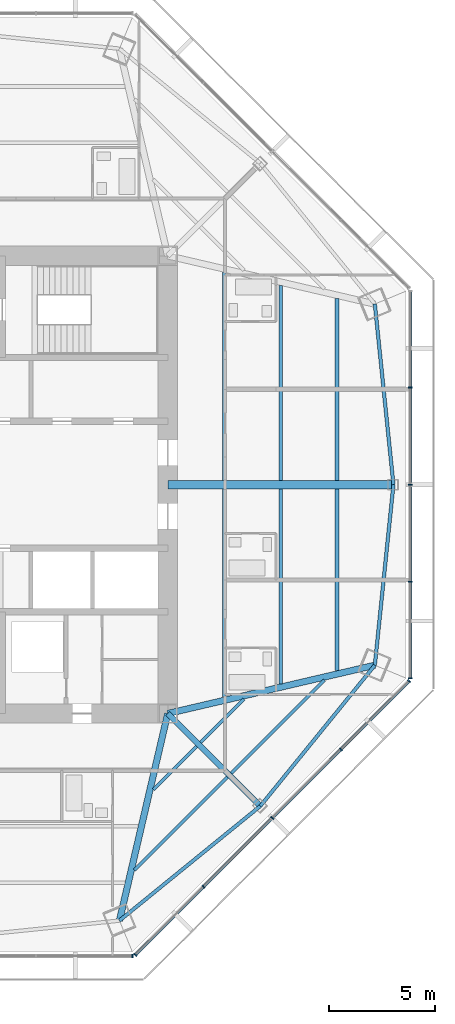
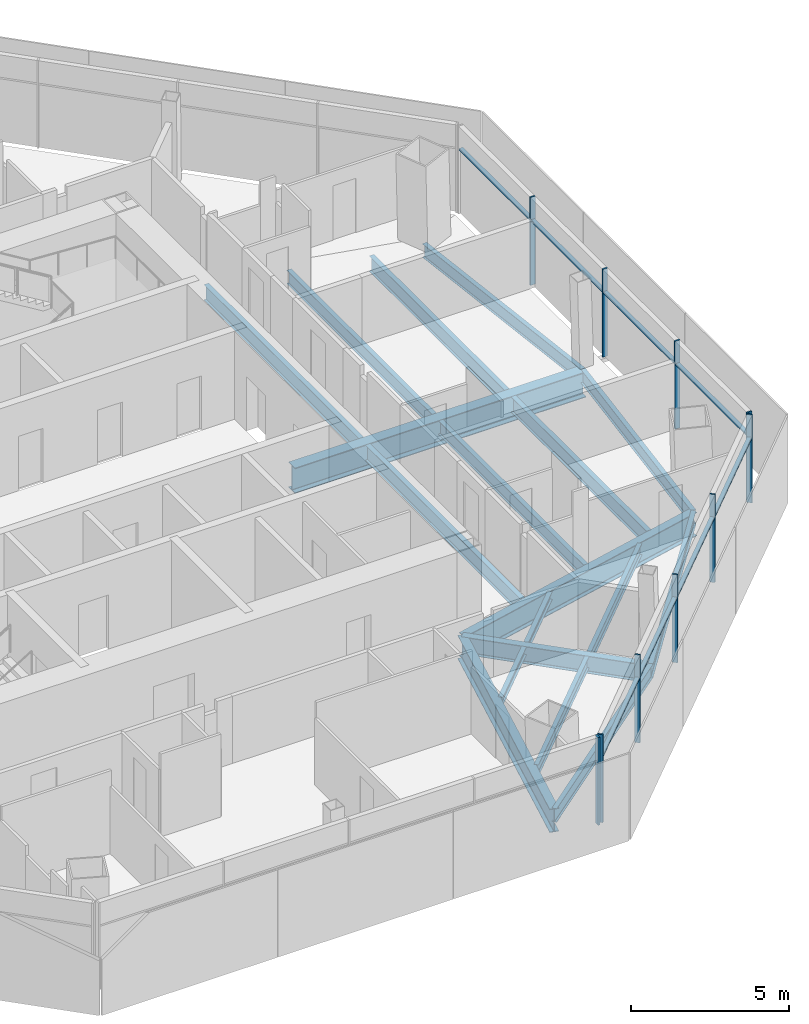
# One storey, part 4 of 15: 18 beams, 18 members, 3 elements without a shape of their own.
"""IFC4 building model written with IfcOpenShell, lengths in metres."""

import ifcopenshell
import ifcopenshell.guid

model = None  # the IFC model being written
_history = None  # IfcOwnerHistory: only IFC2X3 demands one
_inside = {}  # id of a spatial element -> (the spatial element, [elements in it])
_under = {}  # id of a project, library or spatial element -> (it, [spatial elements below it])
_declared = {}  # id of a project -> (the project, [libraries it declares])
_typed = {}  # id of a type object -> (the type object, [elements of that type])
_made_of = {}  # id of a material, layer set ... -> (it, [elements and type objects made of it])


def new_model(schema):
    """Start an empty IFC model of exactly this schema.

    Asked for "IFC4X3", IfcOpenShell would pick the latest addendum, in which some entities
    have other attributes; the version numbers below select the first issue.
    IFC2X3 requires an IfcOwnerHistory on every rooted entity: one is made here for all.
    """
    global model, _history
    if schema == "IFC4X3":
        model = ifcopenshell.file(schema_version=(4, 3, 0, 0))
    else:
        model = ifcopenshell.file(schema=schema)
    _inside.clear()
    _under.clear()
    _declared.clear()
    _typed.clear()
    _made_of.clear()
    _history = None
    if model.schema == "IFC2X3":
        org = make("IfcOrganization", Name="unknown")
        user = make(
            "IfcPersonAndOrganization",
            ThePerson=make("IfcPerson", FamilyName="unknown"),
            TheOrganization=org,
        )
        app = make(
            "IfcApplication",
            ApplicationDeveloper=org,
            Version="unknown",
            ApplicationFullName="unknown",
            ApplicationIdentifier="unknown",
        )
        _history = make(
            "IfcOwnerHistory",
            OwningUser=user,
            OwningApplication=app,
            ChangeAction="ADDED",
            CreationDate=0,
        )
    return model


def make(cls, **values):
    """One entity of the class cls with the attributes given. An attribute that is None is left unset."""
    return model.create_entity(
        cls, **{name: value for name, value in values.items() if value is not None}
    )


def rooted(cls, **values):
    """An entity with a GlobalId (a new one), such as an element, a storey or a relation."""
    return make(cls, GlobalId=ifcopenshell.guid.new(), OwnerHistory=_history, **values)


def si_unit(unit_type, name, prefix=None):
    """IfcSIUnit, for example si_unit("LENGTHUNIT", "METRE", prefix="MILLI")."""
    return make("IfcSIUnit", UnitType=unit_type, Prefix=prefix, Name=name)


def assignment(units):
    """IfcUnitAssignment: the units of a project."""
    return None if units is None else make("IfcUnitAssignment", Units=units)


def point(xyz):
    """IfcCartesianPoint."""
    return None if xyz is None else make("IfcCartesianPoint", Coordinates=xyz)


def direction(xyz):
    """IfcDirection."""
    return None if xyz is None else make("IfcDirection", DirectionRatios=xyz)


def frame(location, z_axis=None, x_axis=None):
    """IfcAxis2Placement3D, a coordinate frame: its origin and axes. An axis left out is left unset."""
    return make(
        "IfcAxis2Placement3D",
        Location=point(location),
        Axis=direction(z_axis),
        RefDirection=direction(x_axis),
    )


def frame_2d(location, x_axis=None):
    """IfcAxis2Placement2D, a coordinate frame in the plane: its origin and x axis."""
    return make(
        "IfcAxis2Placement2D", Location=point(location), RefDirection=direction(x_axis)
    )


def origin():
    """The frame at (0, 0, 0) with its axes left unset."""
    return frame((0.0, 0.0, 0.0))


def origin_2d():
    """The frame at (0, 0) in the plane with its x axis left unset."""
    return frame_2d((0.0, 0.0))


def place(relative_to, where):
    """IfcLocalPlacement: puts the frame where relative to a parent placement (None: the world)."""
    return make(
        "IfcLocalPlacement", PlacementRelTo=relative_to, RelativePlacement=where
    )


def context(
    kind, dimensions, precision=None, world=None, true_north=None, identifier=None
):
    """IfcGeometricRepresentationContext, for example the 3D "Model" context."""
    return make(
        "IfcGeometricRepresentationContext",
        ContextIdentifier=identifier,
        ContextType=kind,
        CoordinateSpaceDimension=dimensions,
        Precision=precision,
        WorldCoordinateSystem=world,
        TrueNorth=true_north,
    )


def subcontext(parent, identifier, kind, view, scale=None):
    """IfcGeometricRepresentationSubContext, for example "Body" below "Model"."""
    return make(
        "IfcGeometricRepresentationSubContext",
        ContextIdentifier=identifier,
        ContextType=kind,
        ParentContext=parent,
        TargetScale=scale,
        TargetView=view,
    )


def project(units=None, contexts=None):
    """IfcProject with its units and contexts."""
    return rooted(
        "IfcProject",
        Name="project",
        RepresentationContexts=contexts,
        UnitsInContext=assignment(units),
    )


def spatial(cls, under=None, at=None, **own):
    """A site, building, storey or space (cls), placed at a placement, below another one or the project."""
    s = rooted(cls, ObjectPlacement=at, **own)
    if under is not None:
        _under.setdefault(under.id(), (under, []))[1].append(s)
    return s


def profile(cls, at=None, kind="AREA", **sizes):
    """A parametric profile (cls). Its sizes go by their IFC names, for example OverallWidth=200.0."""
    return make(cls, ProfileType=kind, Position=at, **sizes)


def rectangle(**sizes):
    """IfcRectangleProfileDef."""
    return profile("IfcRectangleProfileDef", **sizes)


def i_section(**sizes):
    """IfcIShapeProfileDef."""
    return profile("IfcIShapeProfileDef", **sizes)


def extrude(swept, where, along, depth):
    """IfcExtrudedAreaSolid: the profile swept, set in the frame where, extruded along a direction by depth."""
    return make(
        "IfcExtrudedAreaSolid",
        SweptArea=swept,
        Position=where,
        ExtrudedDirection=direction(along),
        Depth=depth,
    )


def shape(context_of_items, identifier, shape_type, items):
    """IfcShapeRepresentation: the items that make up one representation, for example the "Body"."""
    return make(
        "IfcShapeRepresentation",
        ContextOfItems=context_of_items,
        RepresentationIdentifier=identifier,
        RepresentationType=shape_type,
        Items=items,
    )


def source(mapping_origin, context_of_items, identifier, shape_type, items):
    """IfcRepresentationMap: a shape defined once, which mapped items show again and again."""
    return make(
        "IfcRepresentationMap",
        MappingOrigin=mapping_origin,
        MappedRepresentation=shape(context_of_items, identifier, shape_type, items),
    )


def transform(
    local_origin,
    x_axis=None,
    y_axis=None,
    z_axis=None,
    scale=None,
    scale2=None,
    scale3=None,
    uniform=True,
):
    """IfcCartesianTransformationOperator3D, or its non-uniform kind. x_axis, y_axis, z_axis: its Axis1, 2, 3."""
    if uniform:
        return make(
            "IfcCartesianTransformationOperator3D",
            Axis1=direction(x_axis),
            Axis2=direction(y_axis),
            LocalOrigin=point(local_origin),
            Scale=scale,
            Axis3=direction(z_axis),
        )
    return make(
        "IfcCartesianTransformationOperator3DnonUniform",
        Axis1=direction(x_axis),
        Axis2=direction(y_axis),
        LocalOrigin=point(local_origin),
        Scale=scale,
        Axis3=direction(z_axis),
        Scale2=scale2,
        Scale3=scale3,
    )


def mapped(mapping_source, mapping_target):
    """IfcMappedItem: shows the shape of a source again, moved by a transform."""
    return make(
        "IfcMappedItem", MappingSource=mapping_source, MappingTarget=mapping_target
    )


def material(Name=None, Category=None):
    """IfcMaterial."""
    return make("IfcMaterial", Name=Name, Category=Category)


def material_profile(
    of_material, cross_section, Name=None, Category=None, Priority=None
):
    """IfcMaterialProfile: a cross section and its material."""
    return make(
        "IfcMaterialProfile",
        Name=Name,
        Material=of_material,
        Profile=cross_section,
        Priority=Priority,
        Category=Category,
    )


def profile_set(profiles, Name=None, composite=None):
    """IfcMaterialProfileSet."""
    return make(
        "IfcMaterialProfileSet",
        Name=Name,
        MaterialProfiles=profiles,
        CompositeProfile=composite,
    )


def made_of(thing, what):
    """Note that an element or type object is made of a material, layer set ...; save() writes the relation."""
    if what is not None:
        _made_of.setdefault(what.id(), (what, []))[1].append(thing)
    return thing


def type_object(cls, material=None, **own):
    """A type object (cls), such as IfcWallType, which elements share."""
    return made_of(rooted(cls, **own), material)


def type_shapes(of_type, sources):
    """Give a type object the sources (RepresentationMaps) that its elements show as mapped items."""
    of_type.RepresentationMaps = sources


def element(
    cls,
    number,
    at=None,
    inside=None,
    cuts=None,
    type_object=None,
    material=None,
    context=None,
    identifier="Body",
    shape_type=None,
    held_by="IfcProductDefinitionShape",
    body=None,
    shapes=None,
    **own,
):
    """One element of the class cls, such as IfcWall. Its Tag is "e" and its number.

    at: its placement. inside: the storey or other place that contains it. cuts: it is an
    opening in that element (IfcRelVoidsElement). A single representation is given by context,
    identifier, shape_type and body (its items); several are given by shapes. held_by: the class
    of the entity that holds the representations. save() writes the other relations.
    """
    e = rooted(cls, Tag="e%d" % number, ObjectPlacement=at, **own)
    if body is not None:
        shapes = [shape(context, identifier, shape_type, body)]
    if shapes is not None:
        e.Representation = make(held_by, Representations=shapes)
    if inside is not None:
        _inside.setdefault(inside.id(), (inside, []))[1].append(e)
    if cuts is not None:
        rooted(
            "IfcRelVoidsElement", RelatingBuildingElement=cuts, RelatedOpeningElement=e
        )
    if type_object is not None:
        _typed.setdefault(type_object.id(), (type_object, []))[1].append(e)
    return made_of(e, material)


def aggregate(whole, parts):
    """IfcRelAggregates: a whole, such as a stair, and the parts it consists of."""
    return rooted("IfcRelAggregates", RelatingObject=whole, RelatedObjects=parts)


def save(model, path):
    """Write the relations noted so far, then the file.

    IfcRelAggregates (storeys below a building ...), IfcRelContainedInSpatialStructure (elements
    in a storey), IfcRelDefinesByType, IfcRelAssociatesMaterial and IfcRelDeclares: one each for
    every whole, place, type object, material and project.
    """
    for whole, parts in _under.values():
        aggregate(whole, parts)
    for where, things in _inside.values():
        rooted(
            "IfcRelContainedInSpatialStructure",
            RelatedElements=things,
            RelatingStructure=where,
        )
    for kind, things in _typed.values():
        rooted("IfcRelDefinesByType", RelatedObjects=things, RelatingType=kind)
    for what, things in _made_of.values():
        rooted("IfcRelAssociatesMaterial", RelatedObjects=things, RelatingMaterial=what)
    for by, libraries in _declared.values():
        rooted("IfcRelDeclares", RelatingContext=by, RelatedDefinitions=libraries)
    model.write(path)


model = new_model("IFC4")

# Units and contexts
model_context = context("Model", 3, precision=1e-05, world=origin(), true_north=direction((0.0, 1.0)))
body_context = subcontext(model_context, "Body", "Model", "MODEL_VIEW")
ifc_project = project(units=[si_unit("LENGTHUNIT", "METRE"), si_unit("AREAUNIT", "SQUARE_METRE"), si_unit("VOLUMEUNIT", "CUBIC_METRE"), si_unit("PLANEANGLEUNIT", "RADIAN"), si_unit("MASSUNIT", "GRAM", prefix="KILO")], contexts=[model_context])

# Site, building, storey
site_placement = place(None, origin())
site = spatial("IfcSite", under=ifc_project, at=site_placement, CompositionType="ELEMENT")
building_placement = place(site_placement, origin())
building = spatial("IfcBuilding", under=site, at=building_placement, Name="Mashrafa Tower", CompositionType="ELEMENT")
storey_placement = place(building_placement, frame((0.0, 0.0, 204.0)))
storey = spatial("IfcBuildingStorey", under=building, at=storey_placement, Name="L46", CompositionType="ELEMENT", Elevation=204.0)

# Beams
ifc_material_1 = material(Name="Steel ASTM A992", Category="steel")
ifc_material_profile_1 = material_profile(ifc_material_1, i_section(OverallWidth=0.164794921875, OverallDepth=0.309814453125, WebThickness=0.005859375, FlangeThickness=0.009765625, FilletRadius=0.007568359375, at=origin_2d()), Name="W12X26")
ifc_profile_set_1 = profile_set([ifc_material_profile_1], Name="Steel ASTM A992")
beam_type_1 = type_object("IfcBeamType", Name="Beam W12X26", PredefinedType="BEAM", material=ifc_profile_set_1)
for number, where, z_axis, x_axis, name in (
    (1, (12.166015625, -12.345458984375, -0.35498046875), (-0.707148937372, -0.707064622488, 0.0), (0.707064622488, -0.707148937372, 0.0), "Floor beam L46 029"),
    (2, (14.392822265625, -10.118408203125, -0.35498046875), (-0.707064622488, -0.707148937372, 0.0), (0.707148937372, -0.707064622488, 0.0), "Floor beam L46 035"),
):
    element("IfcBeam", number, at=place(storey_placement, frame(where, z_axis=z_axis, x_axis=x_axis)), inside=storey, type_object=beam_type_1, Name=name, PredefinedType="BEAM", context=body_context, shape_type="SweptSolid", body=[
        extrude(i_section(OverallWidth=0.164794921875, OverallDepth=0.309814453125, WebThickness=0.005859375, FlangeThickness=0.009765625, FilletRadius=0.007568359375, at=origin_2d()), origin(), (0.0, 0.0, 1.0), 2.8955078125),
    ])
ifc_material_2 = material(Name="Steel ASTM A992", Category="steel")
ifc_material_profile_2 = material_profile(ifc_material_2, i_section(OverallWidth=0.15234375, OverallDepth=0.449462890625, WebThickness=0.007568359375, FlangeThickness=0.0107421875, FilletRadius=0.01025390625, at=origin_2d()), Name="W18X35")
ifc_profile_set_2 = profile_set([ifc_material_profile_2], Name="Steel ASTM A992")
beam_type_2 = type_object("IfcBeamType", Name="Beam W18X35", PredefinedType="BEAM", material=ifc_profile_set_2)
for number, where, z_axis, x_axis, name in (
    (3, (13.62158203125, -13.80126953125, -0.4248046875), (-0.707106781187, -0.707106781187, 0.0), (0.707106781187, -0.707106781187, 0.0), "Floor beam L46 033"),
    (4, (18.18994140625, -9.23291015625, -0.4248046875), (-0.707106781187, -0.707106781187, 0.0), (0.707106781187, -0.707106781187, 0.0), "Floor beam L46 038"),
):
    element("IfcBeam", number, at=place(storey_placement, frame(where, z_axis=z_axis, x_axis=x_axis)), inside=storey, type_object=beam_type_2, Name=name, PredefinedType="BEAM", context=body_context, shape_type="SweptSolid", body=[
        extrude(i_section(OverallWidth=0.15234375, OverallDepth=0.449462890625, WebThickness=0.007568359375, FlangeThickness=0.0107421875, FilletRadius=0.01025390625, at=origin_2d()), origin(), (0.0, 0.0, 1.0), 6.20654296875),
    ])
ifc_material_3 = material(Name="Steel ASTM A992", Category="steel")
ifc_material_profile_3 = material_profile(ifc_material_3, i_section(OverallWidth=0.1650390625, OverallDepth=0.52587890625, WebThickness=0.0087890625, FlangeThickness=0.011474609375, FilletRadius=0.0126953125, at=origin_2d()), Name="W21X44")
ifc_profile_set_3 = profile_set([ifc_material_profile_3], Name="Steel ASTM A992")
beam_type_3 = type_object("IfcBeamType", Name="Beam W21X44", PredefinedType="BEAM", material=ifc_profile_set_3)
for number, where, z_axis, x_axis, name in (
    (5, (16.124755859375, -0.20068359375, -0.462890625), (0.0, -1.0, 0.0), (1.0, 0.0, 0.0), "Floor beam L46 036"),
    (6, (16.124755859375, 9.401611328125, -0.462890625), (0.0, -1.0, 0.0), (1.0, 0.0, 0.0), "Floor beam L46 037"),
):
    element("IfcBeam", number, at=place(storey_placement, frame(where, z_axis=z_axis, x_axis=x_axis)), inside=storey, type_object=beam_type_3, Name=name, PredefinedType="BEAM", context=body_context, shape_type="SweptSolid", body=[
        extrude(i_section(OverallWidth=0.1650390625, OverallDepth=0.52587890625, WebThickness=0.0087890625, FlangeThickness=0.011474609375, FilletRadius=0.0126953125, at=origin_2d()), origin(), (0.0, 0.0, 1.0), 9.200927734375),
    ])
for number, where, z_axis, x_axis, name in (
    (7, (8.52099609375, -20.5712890625, -0.462890625), (0.775861114857, 0.630903741036, 0.0), (-0.630903741036, 0.775861114857, 0.0), "Spandrel beam L46 066"),
    (8, (15.1669921875, -15.1669921875, -0.462890625), (0.630903741036, 0.775861114857, 0.0), (-0.775861114857, 0.630903741036, 0.0), "Spandrel beam L46 068"),
):
    element("IfcBeam", number, at=place(storey_placement, frame(where, z_axis=z_axis, x_axis=x_axis)), inside=storey, type_object=beam_type_3, Name=name, PredefinedType="BEAM", context=body_context, shape_type="SweptSolid", body=[
        extrude(i_section(OverallWidth=0.1650390625, OverallDepth=0.52587890625, WebThickness=0.0087890625, FlangeThickness=0.011474609375, FilletRadius=0.0126953125, at=origin_2d()), origin(), (0.0, 0.0, 1.0), 8.56591796875),
    ])
for number, where, z_axis, x_axis, name in (
    (9, (20.5712890625, -8.52099609375, -0.462890625), (0.102516999469, 0.99473125256, 0.0), (-0.99473125256, 0.102516999469, 0.0), "Spandrel beam L46 070"),
    (10, (21.449462890625, 0.0, -0.462890625), (-0.102516999469, 0.99473125256, 0.0), (-0.99473125256, -0.102516999469, 0.0), "Spandrel beam L46 072"),
):
    element("IfcBeam", number, at=place(storey_placement, frame(where, z_axis=z_axis, x_axis=x_axis)), inside=storey, type_object=beam_type_3, Name=name, PredefinedType="BEAM", context=body_context, shape_type="SweptSolid", body=[
        extrude(i_section(OverallWidth=0.1650390625, OverallDepth=0.52587890625, WebThickness=0.0087890625, FlangeThickness=0.011474609375, FilletRadius=0.0126953125, at=origin_2d()), origin(), (0.0, 0.0, 1.0), 8.566162109375),
    ])
ifc_material_4 = material(Name="Steel ASTM A992", Category="steel")
ifc_material_profile_4 = material_profile(ifc_material_4, i_section(OverallWidth=0.177978515625, OverallDepth=0.599365234375, WebThickness=0.010009765625, FlangeThickness=0.012939453125, FilletRadius=0.012939453125, at=origin_2d()), Name="W24X55")
ifc_profile_set_4 = profile_set([ifc_material_profile_4], Name="Steel ASTM A992")
beam_type_4 = type_object("IfcBeamType", Name="Beam W24X55", PredefinedType="BEAM", material=ifc_profile_set_4)
for number, where, z_axis, x_axis, name in (
    (11, (13.46240234375, -0.20068359375, -0.499755859375), (0.0, -1.0, 0.0), (1.0, 0.0, 0.0), "Floor beam L46 031"),
    (12, (13.46240234375, 10.0224609375, -0.499755859375), (0.0, -1.0, 0.0), (1.0, 0.0, 0.0), "Floor beam L46 032"),
):
    element("IfcBeam", number, at=place(storey_placement, frame(where, z_axis=z_axis, x_axis=x_axis)), inside=storey, type_object=beam_type_4, Name=name, PredefinedType="BEAM", context=body_context, shape_type="SweptSolid", body=[
        extrude(i_section(OverallWidth=0.177978515625, OverallDepth=0.599365234375, WebThickness=0.010009765625, FlangeThickness=0.012939453125, FilletRadius=0.012939453125, at=origin_2d()), origin(), (0.0, 0.0, 1.0), 9.82177734375),
    ])
for number, where, z_axis, x_axis, name in (
    (13, (18.787109375, -0.20068359375, -0.499755859375), (0.0, -1.0, 0.0), (1.0, 0.0, 0.0), "Floor beam L46 039"),
    (14, (18.787109375, 8.780517578125, -0.499755859375), (0.0, -1.0, 0.0), (1.0, 0.0, 0.0), "Floor beam L46 040"),
):
    element("IfcBeam", number, at=place(storey_placement, frame(where, z_axis=z_axis, x_axis=x_axis)), inside=storey, type_object=beam_type_4, Name=name, PredefinedType="BEAM", context=body_context, shape_type="SweptSolid", body=[
        extrude(i_section(OverallWidth=0.177978515625, OverallDepth=0.599365234375, WebThickness=0.010009765625, FlangeThickness=0.012939453125, FilletRadius=0.012939453125, at=origin_2d()), origin(), (0.0, 0.0, 1.0), 8.579833984375),
    ])
ifc_material_5 = material(Name="Steel ASTM A992", Category="steel")
ifc_material_profile_5 = material_profile(ifc_material_5, i_section(OverallWidth=0.25390625, OverallDepth=0.67822265625, WebThickness=0.01171875, FlangeThickness=0.016357421875, FilletRadius=0.01513671875, at=origin_2d()), Name="W27X84")
ifc_profile_set_5 = profile_set([ifc_material_profile_5], Name="Steel ASTM A992")
beam_type_5 = type_object("IfcBeamType", Name="Beam W27X84", PredefinedType="BEAM", material=ifc_profile_set_5)
beam_1_placement = place(storey_placement, frame((10.800048828125, -10.800048828125, -0.5390625), z_axis=(0.707106781187, -0.707106781187, 0.0), x_axis=(0.707106781187, 0.707106781187, 0.0)))
element("IfcBeam", 15, at=beam_1_placement, inside=storey, type_object=beam_type_5, Name="Radial girder L46 051", PredefinedType="BEAM", context=body_context, shape_type="SweptSolid", body=[
    extrude(i_section(OverallWidth=0.25390625, OverallDepth=0.67822265625, WebThickness=0.01171875, FlangeThickness=0.016357421875, FilletRadius=0.01513671875, at=origin_2d()), origin(), (0.0, 0.0, 1.0), 6.17578125),
])
ifc_material_6 = material(Name="Steel ASTM A992", Category="steel")
ifc_material_profile_6 = material_profile(ifc_material_6, i_section(OverallWidth=0.3046875, OverallDepth=0.911865234375, WebThickness=0.015869140625, FlangeThickness=0.02392578125, FilletRadius=0.01904296875, at=origin_2d()), Name="W36X150")
ifc_profile_set_6 = profile_set([ifc_material_profile_6], Name="Steel ASTM A992")
beam_type_6 = type_object("IfcBeamType", Name="Beam W36X150", PredefinedType="BEAM", material=ifc_profile_set_6)
for number, where, z_axis, x_axis, name in (
    (16, (10.800048828125, -10.800048828125, -0.656005859375), (-0.227144232912, -0.973861128424, 0.0), (0.973861128424, -0.227144232912, 0.0), "Radial girder L46 050"),
    (17, (10.800048828125, -10.800048828125, -0.656005859375), (0.973861128424, 0.227144232912, 0.0), (-0.227144232912, 0.973861128424, 0.0), "Radial girder L46 052"),
):
    element("IfcBeam", number, at=place(storey_placement, frame(where, z_axis=z_axis, x_axis=x_axis)), inside=storey, type_object=beam_type_6, Name=name, PredefinedType="BEAM", context=body_context, shape_type="SweptSolid", body=[
        extrude(i_section(OverallWidth=0.3046875, OverallDepth=0.911865234375, WebThickness=0.015869140625, FlangeThickness=0.02392578125, FilletRadius=0.01904296875, at=origin_2d()), origin(), (0.0, 0.0, 1.0), 10.033447265625),
    ])
ifc_material_7 = material(Name="Steel ASTM A992", Category="steel")
ifc_material_profile_7 = material_profile(ifc_material_7, i_section(OverallWidth=0.4013671875, OverallDepth=0.98291015625, WebThickness=0.0166015625, FlangeThickness=0.027099609375, FilletRadius=0.0126953125, at=origin_2d()), Name="W40X199")
ifc_profile_set_7 = profile_set([ifc_material_profile_7], Name="Steel ASTM A992")
beam_type_7 = type_object("IfcBeamType", Name="Beam W40X199", PredefinedType="BEAM", material=ifc_profile_set_7)
beam_2_placement = place(storey_placement, frame((10.800048828125, 0.0, -0.69140625), z_axis=(1.0, 0.0, 0.0), x_axis=(0.0, 1.0, 0.0)))
element("IfcBeam", 18, at=beam_2_placement, inside=storey, type_object=beam_type_7, Name="Radial girder L46 053", PredefinedType="BEAM", context=body_context, shape_type="SweptSolid", body=[
    extrude(i_section(OverallWidth=0.4013671875, OverallDepth=0.98291015625, WebThickness=0.0166015625, FlangeThickness=0.027099609375, FilletRadius=0.0126953125, at=origin_2d()), origin(), (0.0, 0.0, 1.0), 10.6494140625),
])

# Curtain wall, members
ifc_material_8 = material(Name="Unitised aluminium curtain wall", Category="aluminium")
curtain_wall_type = type_object("IfcCurtainWallType", Name="Apartment curtain wall, zone 3 CW-C 180 deep", PredefinedType="NOTDEFINED", material=ifc_material_8)
curtain_wall_1_placement = place(storey_placement, origin())
curtain_wall_1 = element("IfcCurtainWall", 19, at=curtain_wall_1_placement, inside=storey, type_object=curtain_wall_type, Name="Apartment curtain wall, zone 3 L46 east", PredefinedType="NOTDEFINED")
ifc_material_9 = material(Name="Extruded aluminium mullion", Category="aluminium")
ifc_material_profile_8 = material_profile(ifc_material_9, rectangle(XDim=0.179931640625, YDim=0.06005859375, at=origin_2d()), Name="Mullion 60x180")
ifc_profile_set_8 = profile_set([ifc_material_profile_8], Name="Extruded aluminium mullion")
member_type_1 = type_object("IfcMemberType", Name="Mullion CW-C 60 x 180", PredefinedType="MULLION", material=ifc_profile_set_8)
shared_shape_1 = source(origin(), body_context, "Body", "SweptSolid", [
    extrude(rectangle(XDim=0.179931640625, YDim=0.06005859375, at=origin_2d()), origin(), (0.0, 0.0, 1.0), 3.39990234375),
])
type_shapes(member_type_1, [shared_shape_1])
member_1_placement = place(storey_placement, frame((22.243896484375, -9.136474609375, 0.0), z_axis=(0.0, 0.0, 1.0), x_axis=(-1.0, 0.0, 0.0)))
member_1 = element("IfcMember", 20, at=member_1_placement, type_object=member_type_1, Name="CW-C mullion 1", PredefinedType="MULLION", context=body_context, shape_type="MappedRepresentation", body=[
    mapped(shared_shape_1, transform((0.0, 0.0, 0.0))),
])
member_2_placement = place(storey_placement, frame((22.243896484375, -4.583251953125, 0.0), z_axis=(0.0, 0.0, 1.0), x_axis=(-1.0, 0.0, 0.0)))
member_2 = element("IfcMember", 21, at=member_2_placement, type_object=member_type_1, Name="CW-C mullion 2", PredefinedType="MULLION", context=body_context, shape_type="MappedRepresentation", body=[
    mapped(shared_shape_1, transform((0.0, 0.0, 0.0))),
])
member_3_placement = place(storey_placement, frame((22.243896484375, 0.0, 0.0), z_axis=(0.0, 0.0, 1.0), x_axis=(-1.0, 0.0, 0.0)))
member_3 = element("IfcMember", 22, at=member_3_placement, type_object=member_type_1, Name="CW-C mullion 3", PredefinedType="MULLION", context=body_context, shape_type="MappedRepresentation", body=[
    mapped(shared_shape_1, transform((0.0, 0.0, 0.0))),
])
member_4_placement = place(storey_placement, frame((22.243896484375, 4.583251953125, 0.0), z_axis=(0.0, 0.0, 1.0), x_axis=(-1.0, 0.0, 0.0)))
member_4 = element("IfcMember", 23, at=member_4_placement, type_object=member_type_1, Name="CW-C mullion 4", PredefinedType="MULLION", context=body_context, shape_type="MappedRepresentation", body=[
    mapped(shared_shape_1, transform((0.0, 0.0, 0.0))),
])

# Curtain wall, member
curtain_wall_2_placement = place(storey_placement, origin())
curtain_wall_2 = element("IfcCurtainWall", 24, at=curtain_wall_2_placement, inside=storey, type_object=curtain_wall_type, Name="Apartment curtain wall, zone 3 L46 south", PredefinedType="NOTDEFINED")
member_5_placement = place(storey_placement, frame((9.136474609375, -22.243896484375, 0.0), z_axis=(0.0, 0.0, 1.0), x_axis=(0.0, 1.0, 0.0)))
member_5 = element("IfcMember", 25, at=member_5_placement, type_object=member_type_1, Name="CW-C mullion 5", PredefinedType="MULLION", context=body_context, shape_type="MappedRepresentation", body=[
    mapped(shared_shape_1, transform((0.0, 0.0, 0.0))),
])
aggregate(curtain_wall_2, [member_5])

# Curtain wall, members
curtain_wall_3_placement = place(storey_placement, origin())
curtain_wall_3 = element("IfcCurtainWall", 26, at=curtain_wall_3_placement, inside=storey, type_object=curtain_wall_type, Name="Apartment curtain wall, zone 3 L46 south-east", PredefinedType="NOTDEFINED")
member_6_placement = place(storey_placement, frame((9.268310546875, -22.189208984375, 0.0), z_axis=(0.0, 0.0, 1.0), x_axis=(-0.707106781187, 0.707106781187, 0.0)))
member_6 = element("IfcMember", 27, at=member_6_placement, type_object=member_type_1, Name="CW-C mullion 1", PredefinedType="MULLION", context=body_context, shape_type="MappedRepresentation", body=[
    mapped(shared_shape_1, transform((0.0, 0.0, 0.0))),
])
member_7_placement = place(storey_placement, frame((12.488037109375, -18.969482421875, 0.0), z_axis=(0.0, 0.0, 1.0), x_axis=(-0.707106781187, 0.707106781187, 0.0)))
member_7 = element("IfcMember", 28, at=member_7_placement, type_object=member_type_1, Name="CW-C mullion 2", PredefinedType="MULLION", context=body_context, shape_type="MappedRepresentation", body=[
    mapped(shared_shape_1, transform((0.0, 0.0, 0.0))),
])
member_8_placement = place(storey_placement, frame((15.728759765625, -15.728759765625, 0.0), z_axis=(0.0, 0.0, 1.0), x_axis=(-0.707106781187, 0.707106781187, 0.0)))
member_8 = element("IfcMember", 29, at=member_8_placement, type_object=member_type_1, Name="CW-C mullion 3", PredefinedType="MULLION", context=body_context, shape_type="MappedRepresentation", body=[
    mapped(shared_shape_1, transform((0.0, 0.0, 0.0))),
])
member_9_placement = place(storey_placement, frame((18.969482421875, -12.488037109375, 0.0), z_axis=(0.0, 0.0, 1.0), x_axis=(-0.707106781187, 0.707106781187, 0.0)))
member_9 = element("IfcMember", 30, at=member_9_placement, type_object=member_type_1, Name="CW-C mullion 4", PredefinedType="MULLION", context=body_context, shape_type="MappedRepresentation", body=[
    mapped(shared_shape_1, transform((0.0, 0.0, 0.0))),
])
member_10_placement = place(storey_placement, frame((22.189208984375, -9.268310546875, 0.0), z_axis=(0.0, 0.0, 1.0), x_axis=(-0.707106781187, 0.707106781187, 0.0)))
member_10 = element("IfcMember", 31, at=member_10_placement, type_object=member_type_1, Name="CW-C mullion 5", PredefinedType="MULLION", context=body_context, shape_type="MappedRepresentation", body=[
    mapped(shared_shape_1, transform((0.0, 0.0, 0.0))),
])

# Member
ifc_material_10 = material(Name="Extruded aluminium transom", Category="aluminium")
ifc_material_profile_9 = material_profile(ifc_material_10, rectangle(XDim=0.14404296875, YDim=0.074951171875, at=origin_2d()), Name="Transom 75x144")
ifc_profile_set_9 = profile_set([ifc_material_profile_9], Name="Extruded aluminium transom")
member_type_2 = type_object("IfcMemberType", Name="Transom CW-C 75 x 144", PredefinedType="MULLION", material=ifc_profile_set_9)
shared_shape_2 = source(origin(), body_context, "Body", "SweptSolid", [
    extrude(rectangle(XDim=0.14404296875, YDim=0.074951171875, at=origin_2d()), origin(), (0.0, 0.0, 1.0), 4.4931640625),
])
member_11_placement = place(storey_placement, frame((22.243896484375, -9.1064453125, 2.5), z_axis=(0.0, 1.0, 0.0), x_axis=(-1.0, 0.0, 0.0)))
member_11 = element("IfcMember", 32, at=member_11_placement, type_object=member_type_2, Name="CW-C transom 1", PredefinedType="MULLION", context=body_context, shape_type="MappedRepresentation", body=[
    mapped(shared_shape_2, transform((0.0, 0.0, 0.0))),
])

member_12_placement = place(storey_placement, frame((22.243896484375, 4.61328125, 2.5), z_axis=(0.0, 1.0, 0.0), x_axis=(-1.0, 0.0, 0.0)))
member_12 = element("IfcMember", 33, at=member_12_placement, type_object=member_type_2, Name="CW-C transom 4", PredefinedType="MULLION", context=body_context, shape_type="MappedRepresentation", body=[
    mapped(shared_shape_2, transform((0.0, 0.0, 0.0))),
])

shared_shape_3 = source(origin(), body_context, "Body", "SweptSolid", [
    extrude(rectangle(XDim=0.14404296875, YDim=0.074951171875, at=origin_2d()), origin(), (0.0, 0.0, 1.0), 4.523193359375),
])
member_13_placement = place(storey_placement, frame((22.243896484375, -4.55322265625, 2.5), z_axis=(0.0, 1.0, 0.0), x_axis=(-1.0, 0.0, 0.0)))
member_13 = element("IfcMember", 34, at=member_13_placement, type_object=member_type_2, Name="CW-C transom 2", PredefinedType="MULLION", context=body_context, shape_type="MappedRepresentation", body=[
    mapped(shared_shape_3, transform((0.0, 0.0, 0.0))),
])

member_14_placement = place(storey_placement, frame((22.243896484375, 0.030029296875, 2.5), z_axis=(0.0, 1.0, 0.0), x_axis=(-1.0, 0.0, 0.0)))
member_14 = element("IfcMember", 35, at=member_14_placement, type_object=member_type_2, Name="CW-C transom 3", PredefinedType="MULLION", context=body_context, shape_type="MappedRepresentation", body=[
    mapped(shared_shape_3, transform((0.0, 0.0, 0.0))),
])

aggregate(curtain_wall_1, [member_1, member_2, member_3, member_4, member_11, member_13, member_14, member_12])

member_15_placement = place(storey_placement, frame((12.50927734375, -18.948486328125, 2.5), z_axis=(0.707079792893, 0.70713376845, 0.0), x_axis=(-0.70713376845, 0.707079792893, 0.0)))
member_15 = element("IfcMember", 36, at=member_15_placement, type_object=member_type_2, Name="CW-C transom 2", PredefinedType="MULLION", context=body_context, shape_type="MappedRepresentation", body=[
    mapped(shared_shape_3, transform((0.0, 0.0, 0.0))),
])

member_16_placement = place(storey_placement, frame((15.75, -15.70751953125, 2.5), z_axis=(0.70713376845, 0.707079792893, 0.0), x_axis=(-0.707079792893, 0.70713376845, 0.0)))
member_16 = element("IfcMember", 37, at=member_16_placement, type_object=member_type_2, Name="CW-C transom 3", PredefinedType="MULLION", context=body_context, shape_type="MappedRepresentation", body=[
    mapped(shared_shape_3, transform((0.0, 0.0, 0.0))),
])

shared_shape_4 = source(origin(), body_context, "Body", "SweptSolid", [
    extrude(rectangle(XDim=0.14404296875, YDim=0.074951171875, at=origin_2d()), origin(), (0.0, 0.0, 1.0), 4.493408203125),
])
type_shapes(member_type_2, [shared_shape_2, shared_shape_3, shared_shape_4])
member_17_placement = place(storey_placement, frame((9.28955078125, -22.16796875, 2.5), z_axis=(0.707106781187, 0.707106781187, 0.0), x_axis=(-0.707106781187, 0.707106781187, 0.0)))
member_17 = element("IfcMember", 38, at=member_17_placement, type_object=member_type_2, Name="CW-C transom 1", PredefinedType="MULLION", context=body_context, shape_type="MappedRepresentation", body=[
    mapped(shared_shape_4, transform((0.0, 0.0, 0.0))),
])

member_18_placement = place(storey_placement, frame((18.99072265625, -12.466796875, 2.5), z_axis=(0.707106781187, 0.707106781187, 0.0), x_axis=(-0.707106781187, 0.707106781187, 0.0)))
member_18 = element("IfcMember", 39, at=member_18_placement, type_object=member_type_2, Name="CW-C transom 4", PredefinedType="MULLION", context=body_context, shape_type="MappedRepresentation", body=[
    mapped(shared_shape_4, transform((0.0, 0.0, 0.0))),
])

aggregate(curtain_wall_3, [member_6, member_7, member_8, member_9, member_10, member_17, member_15, member_16, member_18])

save(model, "model.ifc")
